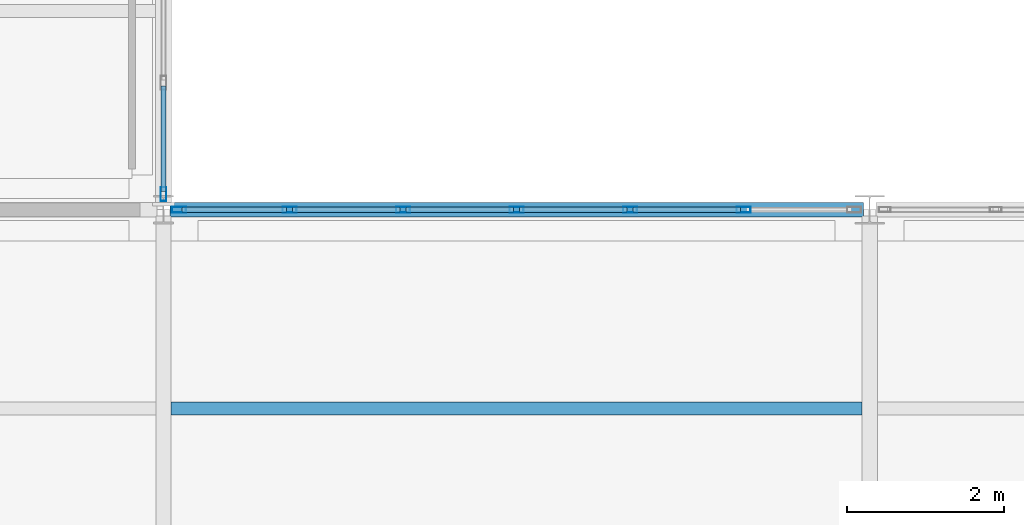
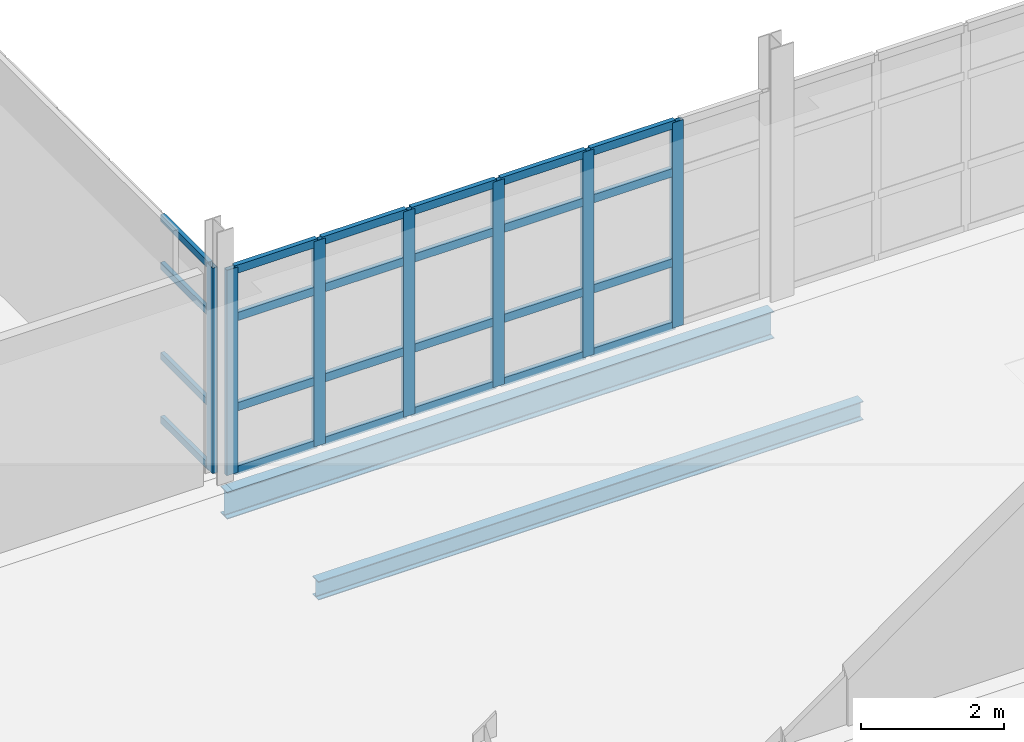
# One storey, part 53 of 174: 31 members, 2 beams, 2 elements without a shape of their own.
"""IFC4 building model written with IfcOpenShell, lengths in metres."""

from ifc_helpers import new_model, si_unit, direction, frame, origin, origin_2d, place, context, subcontext, project, spatial, hollow_rectangle, i_section, extrude, material, material_profile, profile_set, type_object, element, aggregate, save


model = new_model("IFC4")

# Units and contexts
model_context = context("Model", 3, precision=1e-05, world=origin(), true_north=direction((0.0, 1.0)))
body_context = subcontext(model_context, "Body", "Model", "MODEL_VIEW")
ifc_project = project(units=[si_unit("LENGTHUNIT", "METRE"), si_unit("AREAUNIT", "SQUARE_METRE"), si_unit("VOLUMEUNIT", "CUBIC_METRE"), si_unit("PLANEANGLEUNIT", "RADIAN"), si_unit("MASSUNIT", "GRAM", prefix="KILO")], contexts=[model_context])

# Site, building, storey
site_placement = place(None, origin())
site = spatial("IfcSite", under=ifc_project, at=site_placement, CompositionType="ELEMENT")
building_placement = place(site_placement, origin())
building = spatial("IfcBuilding", under=site, at=building_placement, Name="Caisbarro Railhouse Central Library", CompositionType="ELEMENT")
storey_placement = place(building_placement, frame((0.0, 0.0, 5.0400390625)))
storey = spatial("IfcBuildingStorey", under=building, at=storey_placement, Name="L01", CompositionType="ELEMENT", Elevation=5.0400390625)

# Beams
ifc_material_1 = material(Name="Steel ASTM A572 Grade 50", Category="steel")
ifc_material_profile_1 = material_profile(ifc_material_1, i_section(OverallWidth=0.1669921875, OverallDepth=0.31689453125, WebThickness=0.007568359375, FlangeThickness=0.01318359375, FilletRadius=0.011962890625, at=origin_2d()), Name="W310X52.0")
ifc_profile_set_1 = profile_set([ifc_material_profile_1], Name="Steel ASTM A572 Grade 50")
beam_type_1 = type_object("IfcBeamType", Name="BM-J02", PredefinedType="JOIST", material=ifc_profile_set_1)
beam_1_placement = place(storey_placement, frame((72.096923828125, 27.86669921875, -0.3984375), z_axis=(1.0, 0.0, 0.0), x_axis=(0.0, 1.0, 0.0)))
element("IfcBeam", 1, at=beam_1_placement, inside=storey, type_object=beam_type_1, Name="J02 beam L01 #769", PredefinedType="JOIST", context=body_context, shape_type="SweptSolid", body=[
    extrude(i_section(OverallWidth=0.1669921875, OverallDepth=0.31689453125, WebThickness=0.007568359375, FlangeThickness=0.01318359375, FilletRadius=0.011962890625, at=origin_2d()), origin(), (0.0, 0.0, 1.0), 8.80615234375),
])
ifc_material_profile_2 = material_profile(ifc_material_1, i_section(OverallWidth=0.18994140625, OverallDepth=0.45703125, WebThickness=0.009033203125, FlangeThickness=0.014404296875, FilletRadius=0.01806640625, at=origin_2d()), Name="W460X74.0")
ifc_profile_set_2 = profile_set([ifc_material_profile_2], Name="Steel ASTM A572 Grade 50")
beam_type_2 = type_object("IfcBeamType", Name="BM-SP01", PredefinedType="SPANDREL", material=ifc_profile_set_2)
beam_2_placement = place(storey_placement, frame((72.080078125, 30.39990234375, -0.468505859375), z_axis=(1.0, 0.0, 0.0), x_axis=(0.0, 1.0, 0.0)))
element("IfcBeam", 2, at=beam_2_placement, inside=storey, type_object=beam_type_2, Name="SP01 beam L01 #718", PredefinedType="SPANDREL", context=body_context, shape_type="SweptSolid", body=[
    extrude(i_section(OverallWidth=0.18994140625, OverallDepth=0.45703125, WebThickness=0.009033203125, FlangeThickness=0.014404296875, FilletRadius=0.01806640625, at=origin_2d()), origin(), (0.0, 0.0, 1.0), 8.83984375),
])

# Curtain wall, member
ifc_material_2 = material(Name="Anodised architectural aluminium", Category="aluminium")
curtain_wall_type = type_object("IfcCurtainWallType", Name="CW-CW02", PredefinedType="NOTDEFINED", material=ifc_material_2)
curtain_wall_1_placement = place(storey_placement, origin())
curtain_wall_1 = element("IfcCurtainWall", 3, at=curtain_wall_1_placement, inside=storey, type_object=curtain_wall_type, Name="CW02 curtain wall L01 #30", PredefinedType="NOTDEFINED")
ifc_material_profile_3 = material_profile(ifc_material_2, hollow_rectangle(XDim=0.074951171875, YDim=0.179931640625, WallThickness=0.00439453125, at=origin_2d()), Name="ALU-MUL-75X180")
ifc_profile_set_3 = profile_set([ifc_material_profile_3], Name="Anodised architectural aluminium")
member_type_1 = type_object("IfcMemberType", Name="CWM-M01", PredefinedType="MULLION", material=ifc_profile_set_3)
member_1_placement = place(storey_placement, frame((72.0, 30.597412109375, 0.0), z_axis=(0.0, 0.0, 1.0), x_axis=(-1.0, 0.0, 0.0)))
member_1 = element("IfcMember", 4, at=member_1_placement, type_object=member_type_1, Name="CW02 mullion 1", PredefinedType="MULLION", context=body_context, shape_type="SweptSolid", body=[
    extrude(hollow_rectangle(XDim=0.074951171875, YDim=0.179931640625, WallThickness=0.00439453125, at=origin_2d()), origin(), (0.0, 0.0, 1.0), 3.510009765625),
])

# Curtain wall, members
curtain_wall_2_placement = place(storey_placement, origin())
curtain_wall_2 = element("IfcCurtainWall", 5, at=curtain_wall_2_placement, inside=storey, type_object=curtain_wall_type, Name="CW02 curtain wall L01 #54", PredefinedType="NOTDEFINED")
member_2_placement = place(storey_placement, frame((72.197509765625, 30.39990234375, 0.0), z_axis=(0.0, 0.0, 1.0), x_axis=(0.0, 1.0, 0.0)))
member_2 = element("IfcMember", 6, at=member_2_placement, type_object=member_type_1, Name="CW02 mullion 1", PredefinedType="MULLION", context=body_context, shape_type="SweptSolid", body=[
    extrude(hollow_rectangle(XDim=0.074951171875, YDim=0.179931640625, WallThickness=0.00439453125, at=origin_2d()), origin(), (0.0, 0.0, 1.0), 3.510009765625),
])
member_3_placement = place(storey_placement, frame((73.606689453125, 30.39990234375, 0.0), z_axis=(0.0, 0.0, 1.0), x_axis=(0.0, 1.0, 0.0)))
member_3 = element("IfcMember", 7, at=member_3_placement, type_object=member_type_1, Name="CW02 mullion 2", PredefinedType="MULLION", context=body_context, shape_type="SweptSolid", body=[
    extrude(hollow_rectangle(XDim=0.074951171875, YDim=0.179931640625, WallThickness=0.00439453125, at=origin_2d()), origin(), (0.0, 0.0, 1.0), 3.510009765625),
])
member_4_placement = place(storey_placement, frame((75.05322265625, 30.39990234375, 0.0), z_axis=(0.0, 0.0, 1.0), x_axis=(0.0, 1.0, 0.0)))
member_4 = element("IfcMember", 8, at=member_4_placement, type_object=member_type_1, Name="CW02 mullion 3", PredefinedType="MULLION", context=body_context, shape_type="SweptSolid", body=[
    extrude(hollow_rectangle(XDim=0.074951171875, YDim=0.179931640625, WallThickness=0.00439453125, at=origin_2d()), origin(), (0.0, 0.0, 1.0), 3.510009765625),
])
member_5_placement = place(storey_placement, frame((76.5, 30.39990234375, 0.0), z_axis=(0.0, 0.0, 1.0), x_axis=(0.0, 1.0, 0.0)))
member_5 = element("IfcMember", 9, at=member_5_placement, type_object=member_type_1, Name="CW02 mullion 4", PredefinedType="MULLION", context=body_context, shape_type="SweptSolid", body=[
    extrude(hollow_rectangle(XDim=0.074951171875, YDim=0.179931640625, WallThickness=0.00439453125, at=origin_2d()), origin(), (0.0, 0.0, 1.0), 3.510009765625),
])
member_6_placement = place(storey_placement, frame((77.94677734375, 30.39990234375, 0.0), z_axis=(0.0, 0.0, 1.0), x_axis=(0.0, 1.0, 0.0)))
member_6 = element("IfcMember", 10, at=member_6_placement, type_object=member_type_1, Name="CW02 mullion 5", PredefinedType="MULLION", context=body_context, shape_type="SweptSolid", body=[
    extrude(hollow_rectangle(XDim=0.074951171875, YDim=0.179931640625, WallThickness=0.00439453125, at=origin_2d()), origin(), (0.0, 0.0, 1.0), 3.510009765625),
])
member_7_placement = place(storey_placement, frame((79.393310546875, 30.39990234375, 0.0), z_axis=(0.0, 0.0, 1.0), x_axis=(0.0, 1.0, 0.0)))
member_7 = element("IfcMember", 11, at=member_7_placement, type_object=member_type_1, Name="CW02 mullion 6", PredefinedType="MULLION", context=body_context, shape_type="SweptSolid", body=[
    extrude(hollow_rectangle(XDim=0.074951171875, YDim=0.179931640625, WallThickness=0.00439453125, at=origin_2d()), origin(), (0.0, 0.0, 1.0), 3.510009765625),
])
ifc_material_profile_4 = material_profile(ifc_material_2, hollow_rectangle(XDim=0.074951171875, YDim=0.139892578125, WallThickness=0.00390625, at=origin_2d()), Name="ALU-TRN-75X140")
ifc_profile_set_4 = profile_set([ifc_material_profile_4], Name="Anodised architectural aluminium")
member_type_2 = type_object("IfcMemberType", Name="CWT-T01", PredefinedType="USERDEFINED", material=ifc_profile_set_4)
member_8_placement = place(storey_placement, frame((72.235107421875, 30.39990234375, 0.037353515625), z_axis=(1.0, 0.0, 0.0), x_axis=(0.0, 1.0, 0.0)))
member_8 = element("IfcMember", 12, at=member_8_placement, type_object=member_type_2, Name="CW02 transom 1.1", ObjectType="TRANSOM", PredefinedType="USERDEFINED", context=body_context, shape_type="SweptSolid", body=[
    extrude(hollow_rectangle(XDim=0.074951171875, YDim=0.139892578125, WallThickness=0.00390625, at=origin_2d()), origin(), (0.0, 0.0, 1.0), 1.333984375),
])
member_9_placement = place(storey_placement, frame((72.235107421875, 30.39990234375, 1.119873046875), z_axis=(1.0, 0.0, 0.0), x_axis=(0.0, 1.0, 0.0)))
member_9 = element("IfcMember", 13, at=member_9_placement, type_object=member_type_2, Name="CW02 transom 1.2", ObjectType="TRANSOM", PredefinedType="USERDEFINED", context=body_context, shape_type="SweptSolid", body=[
    extrude(hollow_rectangle(XDim=0.074951171875, YDim=0.139892578125, WallThickness=0.00390625, at=origin_2d()), origin(), (0.0, 0.0, 1.0), 1.333984375),
])
member_10_placement = place(storey_placement, frame((72.235107421875, 30.39990234375, 2.659912109375), z_axis=(1.0, 0.0, 0.0), x_axis=(0.0, 1.0, 0.0)))
member_10 = element("IfcMember", 14, at=member_10_placement, type_object=member_type_2, Name="CW02 transom 1.3", ObjectType="TRANSOM", PredefinedType="USERDEFINED", context=body_context, shape_type="SweptSolid", body=[
    extrude(hollow_rectangle(XDim=0.074951171875, YDim=0.139892578125, WallThickness=0.00390625, at=origin_2d()), origin(), (0.0, 0.0, 1.0), 1.333984375),
])
member_11_placement = place(storey_placement, frame((72.235107421875, 30.39990234375, 3.472412109375), z_axis=(1.0, 0.0, 0.0), x_axis=(0.0, 1.0, 0.0)))
member_11 = element("IfcMember", 15, at=member_11_placement, type_object=member_type_2, Name="CW02 transom 1.4", ObjectType="TRANSOM", PredefinedType="USERDEFINED", context=body_context, shape_type="SweptSolid", body=[
    extrude(hollow_rectangle(XDim=0.074951171875, YDim=0.139892578125, WallThickness=0.00390625, at=origin_2d()), origin(), (0.0, 0.0, 1.0), 1.333984375),
])
member_12_placement = place(storey_placement, frame((73.644287109375, 30.39990234375, 0.037353515625), z_axis=(1.0, 0.0, 0.0), x_axis=(0.0, 1.0, 0.0)))
member_12 = element("IfcMember", 16, at=member_12_placement, type_object=member_type_2, Name="CW02 transom 2.1", ObjectType="TRANSOM", PredefinedType="USERDEFINED", context=body_context, shape_type="SweptSolid", body=[
    extrude(hollow_rectangle(XDim=0.074951171875, YDim=0.139892578125, WallThickness=0.00390625, at=origin_2d()), origin(), (0.0, 0.0, 1.0), 1.37158203125),
])
member_13_placement = place(storey_placement, frame((73.644287109375, 30.39990234375, 1.119873046875), z_axis=(1.0, 0.0, 0.0), x_axis=(0.0, 1.0, 0.0)))
member_13 = element("IfcMember", 17, at=member_13_placement, type_object=member_type_2, Name="CW02 transom 2.2", ObjectType="TRANSOM", PredefinedType="USERDEFINED", context=body_context, shape_type="SweptSolid", body=[
    extrude(hollow_rectangle(XDim=0.074951171875, YDim=0.139892578125, WallThickness=0.00390625, at=origin_2d()), origin(), (0.0, 0.0, 1.0), 1.37158203125),
])
member_14_placement = place(storey_placement, frame((73.644287109375, 30.39990234375, 2.659912109375), z_axis=(1.0, 0.0, 0.0), x_axis=(0.0, 1.0, 0.0)))
member_14 = element("IfcMember", 18, at=member_14_placement, type_object=member_type_2, Name="CW02 transom 2.3", ObjectType="TRANSOM", PredefinedType="USERDEFINED", context=body_context, shape_type="SweptSolid", body=[
    extrude(hollow_rectangle(XDim=0.074951171875, YDim=0.139892578125, WallThickness=0.00390625, at=origin_2d()), origin(), (0.0, 0.0, 1.0), 1.37158203125),
])
member_15_placement = place(storey_placement, frame((73.644287109375, 30.39990234375, 3.472412109375), z_axis=(1.0, 0.0, 0.0), x_axis=(0.0, 1.0, 0.0)))
member_15 = element("IfcMember", 19, at=member_15_placement, type_object=member_type_2, Name="CW02 transom 2.4", ObjectType="TRANSOM", PredefinedType="USERDEFINED", context=body_context, shape_type="SweptSolid", body=[
    extrude(hollow_rectangle(XDim=0.074951171875, YDim=0.139892578125, WallThickness=0.00390625, at=origin_2d()), origin(), (0.0, 0.0, 1.0), 1.37158203125),
])
member_16_placement = place(storey_placement, frame((75.0908203125, 30.39990234375, 0.037353515625), z_axis=(1.0, 0.0, 0.0), x_axis=(0.0, 1.0, 0.0)))
member_16 = element("IfcMember", 20, at=member_16_placement, type_object=member_type_2, Name="CW02 transom 3.1", ObjectType="TRANSOM", PredefinedType="USERDEFINED", context=body_context, shape_type="SweptSolid", body=[
    extrude(hollow_rectangle(XDim=0.074951171875, YDim=0.139892578125, WallThickness=0.00390625, at=origin_2d()), origin(), (0.0, 0.0, 1.0), 1.37158203125),
])
member_17_placement = place(storey_placement, frame((75.0908203125, 30.39990234375, 1.119873046875), z_axis=(1.0, 0.0, 0.0), x_axis=(0.0, 1.0, 0.0)))
member_17 = element("IfcMember", 21, at=member_17_placement, type_object=member_type_2, Name="CW02 transom 3.2", ObjectType="TRANSOM", PredefinedType="USERDEFINED", context=body_context, shape_type="SweptSolid", body=[
    extrude(hollow_rectangle(XDim=0.074951171875, YDim=0.139892578125, WallThickness=0.00390625, at=origin_2d()), origin(), (0.0, 0.0, 1.0), 1.37158203125),
])
member_18_placement = place(storey_placement, frame((75.0908203125, 30.39990234375, 2.659912109375), z_axis=(1.0, 0.0, 0.0), x_axis=(0.0, 1.0, 0.0)))
member_18 = element("IfcMember", 22, at=member_18_placement, type_object=member_type_2, Name="CW02 transom 3.3", ObjectType="TRANSOM", PredefinedType="USERDEFINED", context=body_context, shape_type="SweptSolid", body=[
    extrude(hollow_rectangle(XDim=0.074951171875, YDim=0.139892578125, WallThickness=0.00390625, at=origin_2d()), origin(), (0.0, 0.0, 1.0), 1.37158203125),
])
member_19_placement = place(storey_placement, frame((75.0908203125, 30.39990234375, 3.472412109375), z_axis=(1.0, 0.0, 0.0), x_axis=(0.0, 1.0, 0.0)))
member_19 = element("IfcMember", 23, at=member_19_placement, type_object=member_type_2, Name="CW02 transom 3.4", ObjectType="TRANSOM", PredefinedType="USERDEFINED", context=body_context, shape_type="SweptSolid", body=[
    extrude(hollow_rectangle(XDim=0.074951171875, YDim=0.139892578125, WallThickness=0.00390625, at=origin_2d()), origin(), (0.0, 0.0, 1.0), 1.37158203125),
])
member_20_placement = place(storey_placement, frame((76.53759765625, 30.39990234375, 0.037353515625), z_axis=(1.0, 0.0, 0.0), x_axis=(0.0, 1.0, 0.0)))
member_20 = element("IfcMember", 24, at=member_20_placement, type_object=member_type_2, Name="CW02 transom 4.1", ObjectType="TRANSOM", PredefinedType="USERDEFINED", context=body_context, shape_type="SweptSolid", body=[
    extrude(hollow_rectangle(XDim=0.074951171875, YDim=0.139892578125, WallThickness=0.00390625, at=origin_2d()), origin(), (0.0, 0.0, 1.0), 1.37158203125),
])
member_21_placement = place(storey_placement, frame((76.53759765625, 30.39990234375, 1.119873046875), z_axis=(1.0, 0.0, 0.0), x_axis=(0.0, 1.0, 0.0)))
member_21 = element("IfcMember", 25, at=member_21_placement, type_object=member_type_2, Name="CW02 transom 4.2", ObjectType="TRANSOM", PredefinedType="USERDEFINED", context=body_context, shape_type="SweptSolid", body=[
    extrude(hollow_rectangle(XDim=0.074951171875, YDim=0.139892578125, WallThickness=0.00390625, at=origin_2d()), origin(), (0.0, 0.0, 1.0), 1.37158203125),
])
member_22_placement = place(storey_placement, frame((76.53759765625, 30.39990234375, 2.659912109375), z_axis=(1.0, 0.0, 0.0), x_axis=(0.0, 1.0, 0.0)))
member_22 = element("IfcMember", 26, at=member_22_placement, type_object=member_type_2, Name="CW02 transom 4.3", ObjectType="TRANSOM", PredefinedType="USERDEFINED", context=body_context, shape_type="SweptSolid", body=[
    extrude(hollow_rectangle(XDim=0.074951171875, YDim=0.139892578125, WallThickness=0.00390625, at=origin_2d()), origin(), (0.0, 0.0, 1.0), 1.37158203125),
])
member_23_placement = place(storey_placement, frame((76.53759765625, 30.39990234375, 3.472412109375), z_axis=(1.0, 0.0, 0.0), x_axis=(0.0, 1.0, 0.0)))
member_23 = element("IfcMember", 27, at=member_23_placement, type_object=member_type_2, Name="CW02 transom 4.4", ObjectType="TRANSOM", PredefinedType="USERDEFINED", context=body_context, shape_type="SweptSolid", body=[
    extrude(hollow_rectangle(XDim=0.074951171875, YDim=0.139892578125, WallThickness=0.00390625, at=origin_2d()), origin(), (0.0, 0.0, 1.0), 1.37158203125),
])
member_24_placement = place(storey_placement, frame((77.984130859375, 30.39990234375, 0.037353515625), z_axis=(1.0, 0.0, 0.0), x_axis=(0.0, 1.0, 0.0)))
member_24 = element("IfcMember", 28, at=member_24_placement, type_object=member_type_2, Name="CW02 transom 5.1", ObjectType="TRANSOM", PredefinedType="USERDEFINED", context=body_context, shape_type="SweptSolid", body=[
    extrude(hollow_rectangle(XDim=0.074951171875, YDim=0.139892578125, WallThickness=0.00390625, at=origin_2d()), origin(), (0.0, 0.0, 1.0), 1.37158203125),
])
member_25_placement = place(storey_placement, frame((77.984130859375, 30.39990234375, 1.119873046875), z_axis=(1.0, 0.0, 0.0), x_axis=(0.0, 1.0, 0.0)))
member_25 = element("IfcMember", 29, at=member_25_placement, type_object=member_type_2, Name="CW02 transom 5.2", ObjectType="TRANSOM", PredefinedType="USERDEFINED", context=body_context, shape_type="SweptSolid", body=[
    extrude(hollow_rectangle(XDim=0.074951171875, YDim=0.139892578125, WallThickness=0.00390625, at=origin_2d()), origin(), (0.0, 0.0, 1.0), 1.37158203125),
])
member_26_placement = place(storey_placement, frame((77.984130859375, 30.39990234375, 2.659912109375), z_axis=(1.0, 0.0, 0.0), x_axis=(0.0, 1.0, 0.0)))
member_26 = element("IfcMember", 30, at=member_26_placement, type_object=member_type_2, Name="CW02 transom 5.3", ObjectType="TRANSOM", PredefinedType="USERDEFINED", context=body_context, shape_type="SweptSolid", body=[
    extrude(hollow_rectangle(XDim=0.074951171875, YDim=0.139892578125, WallThickness=0.00390625, at=origin_2d()), origin(), (0.0, 0.0, 1.0), 1.37158203125),
])
member_27_placement = place(storey_placement, frame((77.984130859375, 30.39990234375, 3.472412109375), z_axis=(1.0, 0.0, 0.0), x_axis=(0.0, 1.0, 0.0)))
member_27 = element("IfcMember", 31, at=member_27_placement, type_object=member_type_2, Name="CW02 transom 5.4", ObjectType="TRANSOM", PredefinedType="USERDEFINED", context=body_context, shape_type="SweptSolid", body=[
    extrude(hollow_rectangle(XDim=0.074951171875, YDim=0.139892578125, WallThickness=0.00390625, at=origin_2d()), origin(), (0.0, 0.0, 1.0), 1.37158203125),
])
aggregate(curtain_wall_2, [member_2, member_3, member_4, member_5, member_6, member_7, member_8, member_9, member_10, member_11, member_12, member_13, member_14, member_15, member_16, member_17, member_18, member_19, member_20, member_21, member_22, member_23, member_24, member_25, member_26, member_27])

# Member
ifc_material_profile_5 = material_profile(ifc_material_2, hollow_rectangle(XDim=0.06494140625, YDim=0.1201171875, WallThickness=0.00341796875, at=origin_2d()), Name="ALU-TRN-65X120")
ifc_profile_set_5 = profile_set([ifc_material_profile_5], Name="Anodised architectural aluminium")
member_type_3 = type_object("IfcMemberType", Name="CWT-T02", PredefinedType="USERDEFINED", material=ifc_profile_set_5)
member_28_placement = place(storey_placement, frame((72.0, 30.635009765625, 0.032470703125), z_axis=(0.0, 1.0, 0.0), x_axis=(-1.0, 0.0, 0.0)))
member_28 = element("IfcMember", 32, at=member_28_placement, type_object=member_type_3, Name="CW02 transom 1.1", ObjectType="TRANSOM", PredefinedType="USERDEFINED", context=body_context, shape_type="SweptSolid", body=[
    extrude(hollow_rectangle(XDim=0.06494140625, YDim=0.1201171875, WallThickness=0.00341796875, at=origin_2d()), origin(), (0.0, 0.0, 1.0), 1.343505859375),
])

member_29_placement = place(storey_placement, frame((72.0, 30.635009765625, 1.119873046875), z_axis=(0.0, 1.0, 0.0), x_axis=(-1.0, 0.0, 0.0)))
member_29 = element("IfcMember", 33, at=member_29_placement, type_object=member_type_3, Name="CW02 transom 1.2", ObjectType="TRANSOM", PredefinedType="USERDEFINED", context=body_context, shape_type="SweptSolid", body=[
    extrude(hollow_rectangle(XDim=0.06494140625, YDim=0.1201171875, WallThickness=0.00341796875, at=origin_2d()), origin(), (0.0, 0.0, 1.0), 1.343505859375),
])

member_30_placement = place(storey_placement, frame((72.0, 30.635009765625, 2.659912109375), z_axis=(0.0, 1.0, 0.0), x_axis=(-1.0, 0.0, 0.0)))
member_30 = element("IfcMember", 34, at=member_30_placement, type_object=member_type_3, Name="CW02 transom 1.3", ObjectType="TRANSOM", PredefinedType="USERDEFINED", context=body_context, shape_type="SweptSolid", body=[
    extrude(hollow_rectangle(XDim=0.06494140625, YDim=0.1201171875, WallThickness=0.00341796875, at=origin_2d()), origin(), (0.0, 0.0, 1.0), 1.343505859375),
])

member_31_placement = place(storey_placement, frame((72.0, 30.635009765625, 3.4775390625), z_axis=(0.0, 1.0, 0.0), x_axis=(-1.0, 0.0, 0.0)))
member_31 = element("IfcMember", 35, at=member_31_placement, type_object=member_type_3, Name="CW02 transom 1.4", ObjectType="TRANSOM", PredefinedType="USERDEFINED", context=body_context, shape_type="SweptSolid", body=[
    extrude(hollow_rectangle(XDim=0.06494140625, YDim=0.1201171875, WallThickness=0.00341796875, at=origin_2d()), origin(), (0.0, 0.0, 1.0), 1.343505859375),
])

aggregate(curtain_wall_1, [member_1, member_28, member_29, member_30, member_31])

save(model, "model.ifc")
